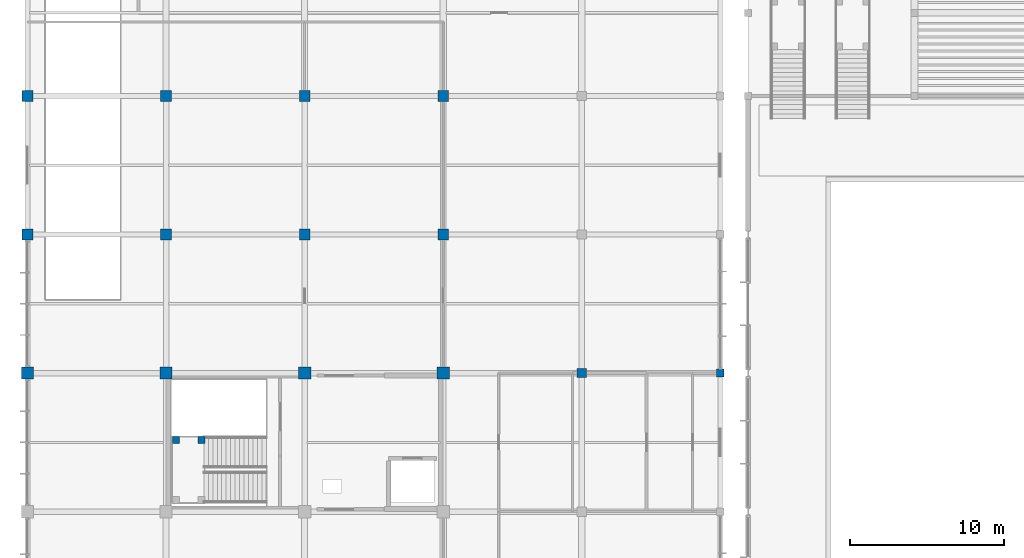
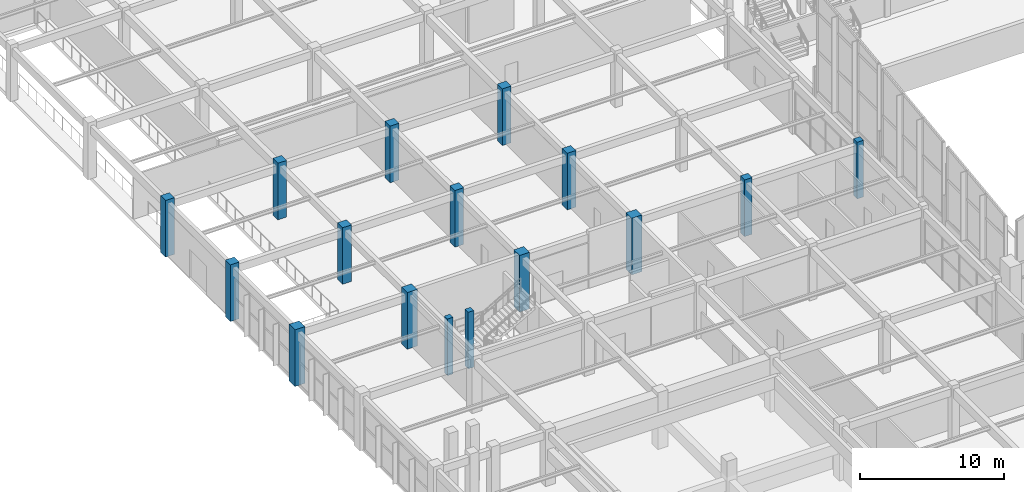
# One storey, part 6 of 82: 16 columns.
"""IFC4 building model written with IfcOpenShell, lengths in metres."""

from ifc_helpers import new_model, si_unit, direction, frame, origin, origin_2d, place, context, subcontext, project, spatial, rectangle, extrude, material, material_profile, profile_set, type_object, element, save


model = new_model("IFC4")

# Units and contexts
model_context = context("Model", 3, precision=1e-05, world=origin(), true_north=direction((0.0, 1.0)))
body_context = subcontext(model_context, "Body", "Model", "MODEL_VIEW")
ifc_project = project(units=[si_unit("LENGTHUNIT", "METRE"), si_unit("AREAUNIT", "SQUARE_METRE"), si_unit("VOLUMEUNIT", "CUBIC_METRE"), si_unit("PLANEANGLEUNIT", "RADIAN"), si_unit("MASSUNIT", "GRAM", prefix="KILO")], contexts=[model_context])

# Site, building, storey
site_placement = place(None, origin())
site = spatial("IfcSite", under=ifc_project, at=site_placement, CompositionType="ELEMENT")
building_placement = place(site_placement, origin())
building = spatial("IfcBuilding", under=site, at=building_placement, Name="Suirenkawa Promenade Aquatics Centre", CompositionType="ELEMENT")
storey_placement = place(building_placement, origin())
storey = spatial("IfcBuildingStorey", under=building, at=storey_placement, Name="L00", CompositionType="ELEMENT", Elevation=0.0)

# Columns
ifc_material = material(Name="Concrete M40", Category="concrete")
ifc_material_profile_1 = material_profile(ifc_material, rectangle(XDim=0.449951171875, YDim=0.449951171875, at=origin_2d()), Name="RC COL 450x450", Category="concrete")
ifc_profile_set_1 = profile_set([ifc_material_profile_1], Name="Concrete M40")
column_type_1 = type_object("IfcColumnType", Name="CT-RC-450", PredefinedType="COLUMN", material=ifc_profile_set_1)
for number, where, z_axis, x_axis, name in (
    (1, (9.64990234375, 64.06005859375, 0.0), (0.0, 0.0, 1.0), (1.0, 0.0, 0.0), "Core stair landing column CL-01 COL-CR-C2-L00-3"),
    (2, (11.300048828125, 64.06005859375, 0.0), (0.0, 0.0, 1.0), (1.0, 0.0, 0.0), "Core stair landing column CL-01 COL-CR-C2-L00-4"),
):
    element("IfcColumn", number, at=place(storey_placement, frame(where, z_axis=z_axis, x_axis=x_axis)), inside=storey, type_object=column_type_1, Name=name, PredefinedType="COLUMN", context=body_context, shape_type="SweptSolid", body=[
        extrude(rectangle(XDim=0.449951171875, YDim=0.449951171875, at=origin_2d()), origin(), (0.0, 0.0, 1.0), 4.800048828125),
    ])
ifc_material_profile_2 = material_profile(ifc_material, rectangle(XDim=0.5, YDim=0.5, at=origin_2d()), Name="RC COL 500x500", Category="concrete")
ifc_profile_set_2 = profile_set([ifc_material_profile_2], Name="Concrete M40")
column_type_2 = type_object("IfcColumnType", Name="CT-RC-500", PredefinedType="COLUMN", material=ifc_profile_set_2)
column_1_placement = place(storey_placement, frame((45.0, 68.39990234375, 0.0), z_axis=(0.0, 0.0, 1.0), x_axis=(1.0, 0.0, 0.0)))
element("IfcColumn", 3, at=column_1_placement, inside=storey, type_object=column_type_2, Name="Column CL-02 COL-0738", PredefinedType="COLUMN", context=body_context, shape_type="SweptSolid", body=[
    extrude(rectangle(XDim=0.5, YDim=0.5, at=origin_2d()), origin(), (0.0, 0.0, 1.0), 4.800048828125),
])
ifc_material_profile_3 = material_profile(ifc_material, rectangle(XDim=0.60009765625, YDim=0.60009765625, at=origin_2d()), Name="RC COL 600x600", Category="concrete")
ifc_profile_set_3 = profile_set([ifc_material_profile_3], Name="Concrete M40")
column_type_3 = type_object("IfcColumnType", Name="CT-RC-600", PredefinedType="COLUMN", material=ifc_profile_set_3)
column_2_placement = place(storey_placement, frame((36.0, 68.39990234375, 0.0), z_axis=(0.0, 0.0, 1.0), x_axis=(1.0, 0.0, 0.0)))
element("IfcColumn", 4, at=column_2_placement, inside=storey, type_object=column_type_3, Name="Column CL-03 COL-0553", PredefinedType="COLUMN", context=body_context, shape_type="SweptSolid", body=[
    extrude(rectangle(XDim=0.60009765625, YDim=0.60009765625, at=origin_2d()), origin(), (0.0, 0.0, 1.0), 4.800048828125),
])
ifc_material_profile_4 = material_profile(ifc_material, rectangle(XDim=0.699951171875, YDim=0.699951171875, at=origin_2d()), Name="RC COL 700x700", Category="concrete")
ifc_profile_set_4 = profile_set([ifc_material_profile_4], Name="Concrete M40")
column_type_4 = type_object("IfcColumnType", Name="CT-RC-700", PredefinedType="COLUMN", material=ifc_profile_set_4)
for number, where, z_axis, x_axis, name in (
    (5, (0.0, 77.39990234375, 0.0), (0.0, 0.0, 1.0), (1.0, 0.0, 0.0), "Column CL-04 COL-0353"),
    (6, (0.0, 86.39990234375, 0.0), (0.0, 0.0, 1.0), (1.0, 0.0, 0.0), "Column CL-04 COL-0358"),
    (7, (9.0, 77.39990234375, 0.0), (0.0, 0.0, 1.0), (1.0, 0.0, 0.0), "Column CL-04 COL-0368"),
    (8, (9.0, 86.39990234375, 0.0), (0.0, 0.0, 1.0), (1.0, 0.0, 0.0), "Column CL-04 COL-0373"),
    (9, (18.0, 77.39990234375, 0.0), (0.0, 0.0, 1.0), (1.0, 0.0, 0.0), "Column CL-04 COL-0383"),
    (10, (18.0, 86.39990234375, 0.0), (0.0, 0.0, 1.0), (1.0, 0.0, 0.0), "Column CL-04 COL-0388"),
    (11, (27.0, 77.39990234375, 0.0), (0.0, 0.0, 1.0), (1.0, 0.0, 0.0), "Column CL-04 COL-0398"),
    (12, (27.0, 86.39990234375, 0.0), (0.0, 0.0, 1.0), (1.0, 0.0, 0.0), "Column CL-04 COL-0403"),
):
    element("IfcColumn", number, at=place(storey_placement, frame(where, z_axis=z_axis, x_axis=x_axis)), inside=storey, type_object=column_type_4, Name=name, PredefinedType="COLUMN", context=body_context, shape_type="SweptSolid", body=[
        extrude(rectangle(XDim=0.699951171875, YDim=0.699951171875, at=origin_2d()), origin(), (0.0, 0.0, 1.0), 4.800048828125),
    ])
ifc_material_profile_5 = material_profile(ifc_material, rectangle(XDim=0.800048828125, YDim=0.800048828125, at=origin_2d()), Name="RC COL 800x800", Category="concrete")
ifc_profile_set_5 = profile_set([ifc_material_profile_5], Name="Concrete M40")
column_type_5 = type_object("IfcColumnType", Name="CT-RC-800", PredefinedType="COLUMN", material=ifc_profile_set_5)
for number, where, z_axis, x_axis, name in (
    (13, (0.0, 68.39990234375, 0.0), (0.0, 0.0, 1.0), (1.0, 0.0, 0.0), "Column CL-05 COL-0203"),
    (14, (9.0, 68.39990234375, 0.0), (0.0, 0.0, 1.0), (1.0, 0.0, 0.0), "Column CL-05 COL-0251"),
    (15, (18.0, 68.39990234375, 0.0), (0.0, 0.0, 1.0), (1.0, 0.0, 0.0), "Column CL-05 COL-0299"),
    (16, (27.0, 68.39990234375, 0.0), (0.0, 0.0, 1.0), (1.0, 0.0, 0.0), "Column CL-05 COL-0347"),
):
    element("IfcColumn", number, at=place(storey_placement, frame(where, z_axis=z_axis, x_axis=x_axis)), inside=storey, type_object=column_type_5, Name=name, PredefinedType="COLUMN", context=body_context, shape_type="SweptSolid", body=[
        extrude(rectangle(XDim=0.800048828125, YDim=0.800048828125, at=origin_2d()), origin(), (0.0, 0.0, 1.0), 4.800048828125),
    ])

save(model, "model.ifc")
